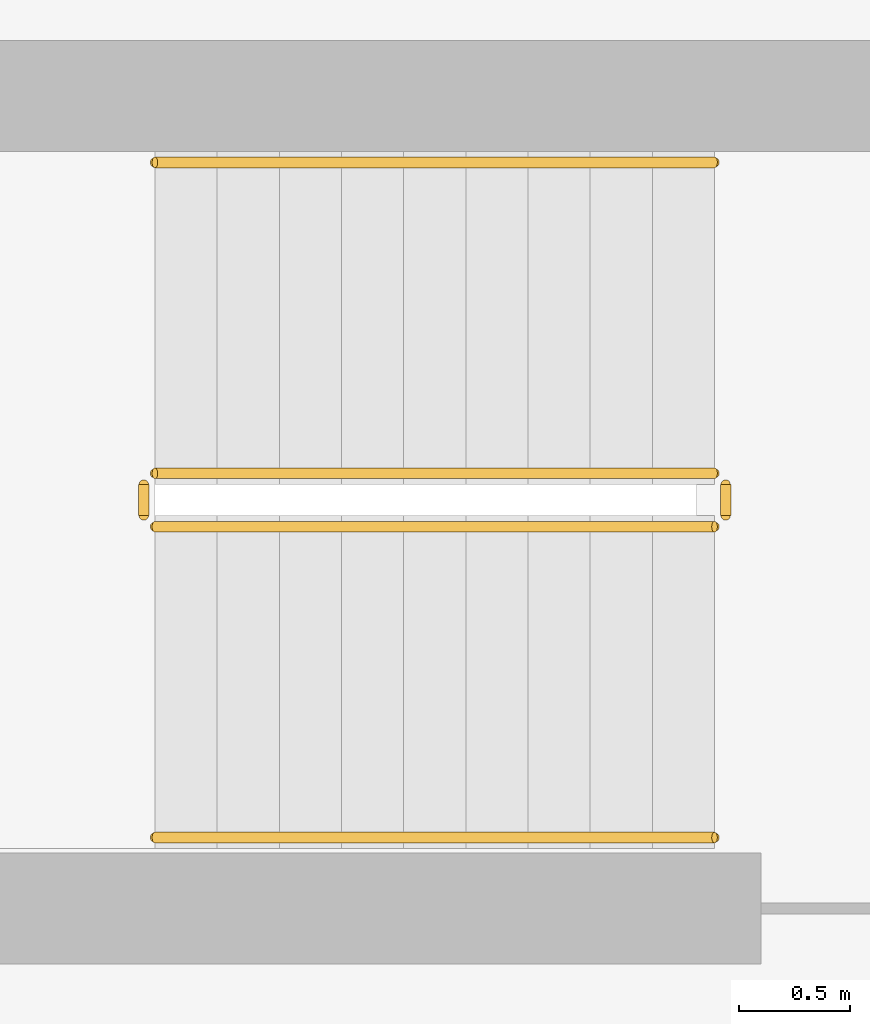
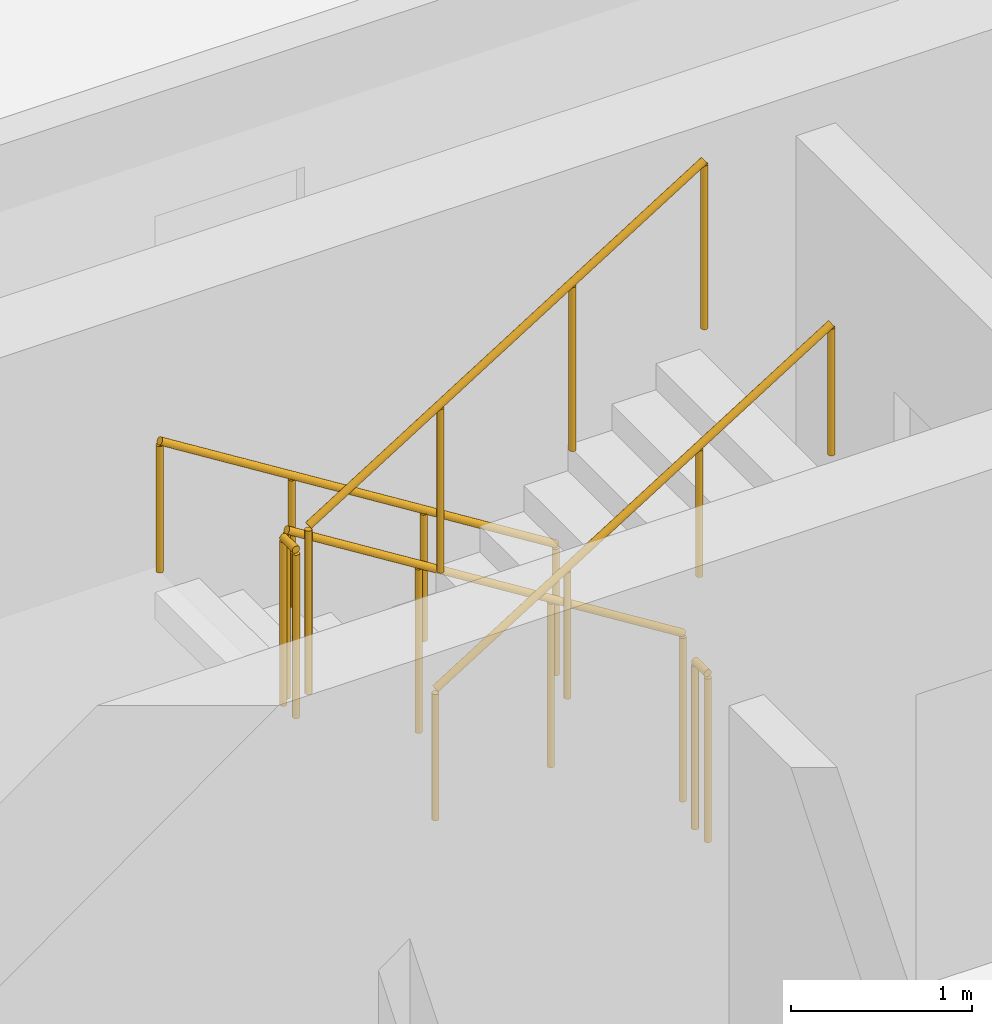
# One storey, part 20 of 22: 6 railings.
"""IFC4 building model written with IfcOpenShell, lengths in metres."""

from ifc_helpers import new_model, si_unit, derived_unit, direction, frame, origin, origin_2d, place, context, subcontext, project, spatial, circle, extrude, material, type_object, element, save


model = new_model("IFC4")

# Units and contexts
model_context = context("Model", 3, precision=1e-05, world=origin(), true_north=direction((0.0, 1.0)))
body_context = subcontext(model_context, "Body", "Model", "MODEL_VIEW")
ifc_project = project(units=[si_unit("LENGTHUNIT", "METRE"), si_unit("AREAUNIT", "SQUARE_METRE"), si_unit("VOLUMEUNIT", "CUBIC_METRE"), si_unit("PLANEANGLEUNIT", "RADIAN"), si_unit("MASSUNIT", "GRAM", prefix="KILO"), derived_unit("THERMALTRANSMITTANCEUNIT", [(si_unit("POWERUNIT", "WATT"), 1), (si_unit("LENGTHUNIT", "METRE"), -2), (si_unit("THERMODYNAMICTEMPERATUREUNIT", "KELVIN"), -1)])], contexts=[model_context])

# Site, building, storey
site_placement = place(None, origin())
site = spatial("IfcSite", under=ifc_project, at=site_placement, CompositionType="ELEMENT")
building_placement = place(site_placement, origin())
building = spatial("IfcBuilding", under=site, at=building_placement, Name="Kivonza Crest Hotel", CompositionType="ELEMENT")
storey_placement = place(building_placement, frame((0.0, 0.0, 69.5)))
storey = spatial("IfcBuildingStorey", under=building, at=storey_placement, Name="L18", CompositionType="ELEMENT", Elevation=69.5)

# Railings
ifc_material_1 = material(Name="Brushed stainless steel handrail", Category="steel")
railing_type_1 = type_object("IfcRailingType", Name="RL-HAND-900", PredefinedType="HANDRAIL", material=ifc_material_1)
railing_1_placement = place(storey_placement, frame((12.239990234375, 36.110107421875, 0.175048828125)))
element("IfcRailing", 1, at=railing_1_placement, inside=storey, type_object=railing_type_1, Name="L18 ST-T1-N stair handrail 1", PredefinedType="HANDRAIL", context=body_context, shape_type="SweptSolid", body=[
    extrude(circle(Radius=0.02392578125, at=origin_2d()), frame((0.0, 0.0, 0.8759765625), z_axis=(-0.848007534815, 0.0, 0.529984170421), x_axis=(0.0, -1.0, 0.0)), (0.0, 0.0, 1.0), 2.9716796875),
    extrude(circle(Radius=0.02099609375, at=origin_2d()), origin(), (0.0, 0.0, 1.0), 0.851806640625),
    extrude(circle(Radius=0.02099609375, at=origin_2d()), frame((-0.840087890625, 0.0, 0.52490234375)), (0.0, 0.0, 1.0), 0.851806640625),
    extrude(circle(Radius=0.02099609375, at=origin_2d()), frame((-1.679931640625, 0.0, 1.050048828125)), (0.0, 0.0, 1.0), 0.851806640625),
    extrude(circle(Radius=0.02099609375, at=origin_2d()), frame((-2.52001953125, 0.0, 1.574951171875)), (0.0, 0.0, 1.0), 0.851806640625),
])
railing_2_placement = place(storey_placement, frame((9.719970703125, 33.070068359375, 1.925048828125)))
element("IfcRailing", 2, at=railing_2_placement, inside=storey, type_object=railing_type_1, Name="L18 ST-T1-N stair handrail 2", PredefinedType="HANDRAIL", context=body_context, shape_type="SweptSolid", body=[
    extrude(circle(Radius=0.02392578125, at=origin_2d()), frame((0.0, 0.0, 0.8759765625), z_axis=(0.848007534815, 0.0, 0.529984170421), x_axis=(0.0, 1.0, 0.0)), (0.0, 0.0, 1.0), 2.9716796875),
    extrude(circle(Radius=0.02099609375, at=origin_2d()), origin(), (0.0, 0.0, 1.0), 0.851806640625),
    extrude(circle(Radius=0.02099609375, at=origin_2d()), frame((0.840087890625, 0.0, 0.52490234375)), (0.0, 0.0, 1.0), 0.851806640625),
    extrude(circle(Radius=0.02099609375, at=origin_2d()), frame((1.679931640625, 0.0, 1.050048828125)), (0.0, 0.0, 1.0), 0.851806640625),
    extrude(circle(Radius=0.02099609375, at=origin_2d()), frame((2.52001953125, 0.0, 1.574951171875)), (0.0, 0.0, 1.0), 0.851806640625),
])
ifc_material_2 = material(Name="Painted steel balustrade", Category="steel")
railing_type_2 = type_object("IfcRailingType", Name="RL-STAIR-1150", PredefinedType="BALUSTRADE", material=ifc_material_2)
railing_3_placement = place(storey_placement, frame((12.239990234375, 34.7099609375, 0.175048828125)))
element("IfcRailing", 3, at=railing_3_placement, inside=storey, type_object=railing_type_2, Name="L18 ST-T1-N stair guard 1", PredefinedType="BALUSTRADE", context=body_context, shape_type="SweptSolid", body=[
    extrude(circle(Radius=0.02392578125, at=origin_2d()), frame((0.0, 0.0, 1.1259765625), z_axis=(-0.848007534815, 0.0, 0.529984170421), x_axis=(0.0, -1.0, 0.0)), (0.0, 0.0, 1.0), 2.9716796875),
    extrude(circle(Radius=0.02099609375, at=origin_2d()), origin(), (0.0, 0.0, 1.0), 1.101806640625),
    extrude(circle(Radius=0.02099609375, at=origin_2d()), frame((-0.840087890625, 0.0, 0.52490234375)), (0.0, 0.0, 1.0), 1.101806640625),
    extrude(circle(Radius=0.02099609375, at=origin_2d()), frame((-1.679931640625, 0.0, 1.050048828125)), (0.0, 0.0, 1.0), 1.101806640625),
    extrude(circle(Radius=0.02099609375, at=origin_2d()), frame((-2.52001953125, 0.0, 1.574951171875)), (0.0, 0.0, 1.0), 1.101806640625),
])
railing_4_placement = place(storey_placement, frame((9.669921875, 34.659912109375, 1.75)))
element("IfcRailing", 4, at=railing_4_placement, inside=storey, type_object=railing_type_2, Name="L18 ST-T1-N stair guard 2", PredefinedType="BALUSTRADE", context=body_context, shape_type="SweptSolid", body=[
    extrude(circle(Radius=0.02392578125, at=origin_2d()), frame((0.0, 0.0, 1.1259765625), z_axis=(0.0, -1.0, 0.0), x_axis=(1.0, 0.0, 0.0)), (0.0, 0.0, 1.0), 0.139892578125),
    extrude(circle(Radius=0.02099609375, at=origin_2d()), origin(), (0.0, 0.0, 1.0), 1.101806640625),
    extrude(circle(Radius=0.02099609375, at=origin_2d()), frame((0.0, -0.139892578125, 0.0)), (0.0, 0.0, 1.0), 1.101806640625),
])
railing_5_placement = place(storey_placement, frame((9.719970703125, 34.469970703125, 1.925048828125)))
element("IfcRailing", 5, at=railing_5_placement, inside=storey, type_object=railing_type_2, Name="L18 ST-T1-N stair guard 3", PredefinedType="BALUSTRADE", context=body_context, shape_type="SweptSolid", body=[
    extrude(circle(Radius=0.02392578125, at=origin_2d()), frame((0.0, 0.0, 1.1259765625), z_axis=(0.848007534815, 0.0, 0.529984170421), x_axis=(0.0, 1.0, 0.0)), (0.0, 0.0, 1.0), 2.9716796875),
    extrude(circle(Radius=0.02099609375, at=origin_2d()), origin(), (0.0, 0.0, 1.0), 1.101806640625),
    extrude(circle(Radius=0.02099609375, at=origin_2d()), frame((0.840087890625, 0.0, 0.52490234375)), (0.0, 0.0, 1.0), 1.101806640625),
    extrude(circle(Radius=0.02099609375, at=origin_2d()), frame((1.679931640625, 0.0, 1.050048828125)), (0.0, 0.0, 1.0), 1.101806640625),
    extrude(circle(Radius=0.02099609375, at=origin_2d()), frame((2.52001953125, 0.0, 1.574951171875)), (0.0, 0.0, 1.0), 1.101806640625),
])
railing_6_placement = place(storey_placement, frame((12.2900390625, 34.659912109375, 0.0)))
element("IfcRailing", 6, at=railing_6_placement, inside=storey, type_object=railing_type_2, Name="L18 ST-T1-N stair guard 4", PredefinedType="BALUSTRADE", context=body_context, shape_type="SweptSolid", body=[
    extrude(circle(Radius=0.02392578125, at=origin_2d()), frame((0.0, 0.0, 1.1259765625), z_axis=(0.0, -1.0, 0.0), x_axis=(1.0, 0.0, 0.0)), (0.0, 0.0, 1.0), 0.139892578125),
    extrude(circle(Radius=0.02099609375, at=origin_2d()), origin(), (0.0, 0.0, 1.0), 1.101806640625),
    extrude(circle(Radius=0.02099609375, at=origin_2d()), frame((0.0, -0.139892578125, 0.0)), (0.0, 0.0, 1.0), 1.101806640625),
])

save(model, "model.ifc")
